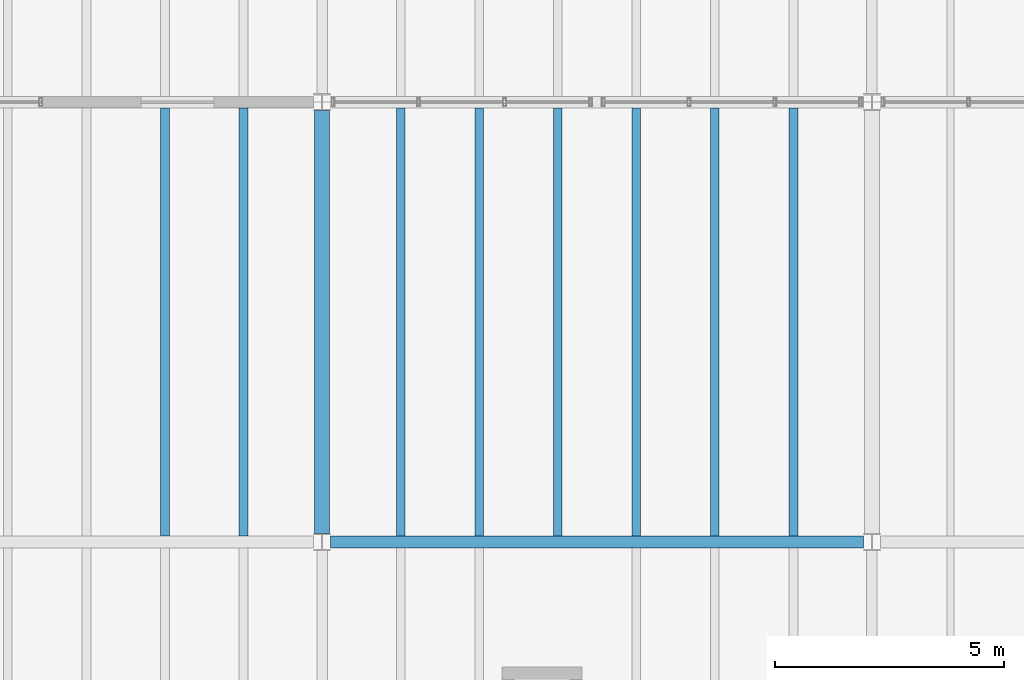
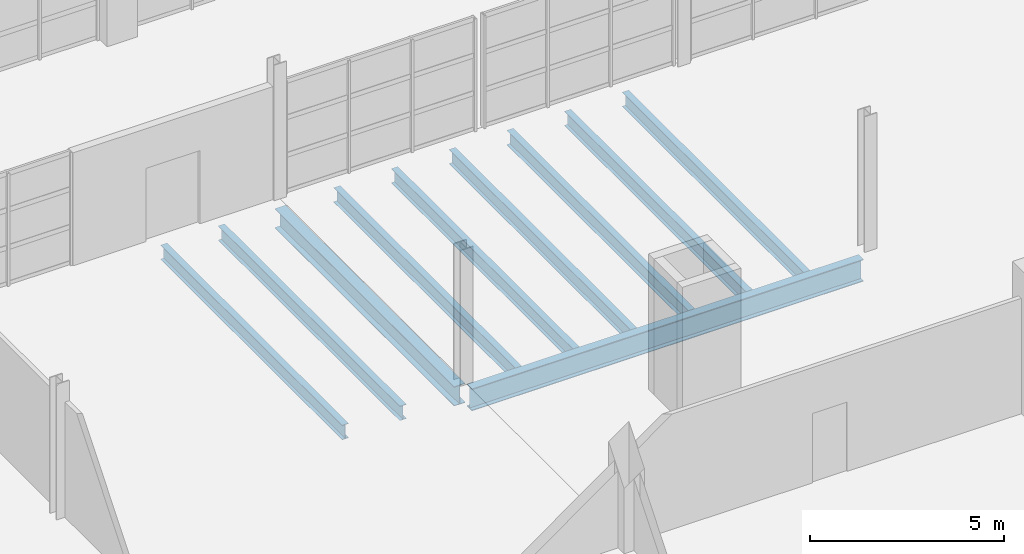
# One storey, part 25 of 114: 10 beams.
"""IFC4 building model written with IfcOpenShell, lengths in metres."""

import ifcopenshell
import ifcopenshell.guid

model = None  # the IFC model being written
_history = None  # IfcOwnerHistory: only IFC2X3 demands one
_inside = {}  # id of a spatial element -> (the spatial element, [elements in it])
_under = {}  # id of a project, library or spatial element -> (it, [spatial elements below it])
_declared = {}  # id of a project -> (the project, [libraries it declares])
_typed = {}  # id of a type object -> (the type object, [elements of that type])
_made_of = {}  # id of a material, layer set ... -> (it, [elements and type objects made of it])


def new_model(schema):
    """Start an empty IFC model of exactly this schema.

    Asked for "IFC4X3", IfcOpenShell would pick the latest addendum, in which some entities
    have other attributes; the version numbers below select the first issue.
    IFC2X3 requires an IfcOwnerHistory on every rooted entity: one is made here for all.
    """
    global model, _history
    if schema == "IFC4X3":
        model = ifcopenshell.file(schema_version=(4, 3, 0, 0))
    else:
        model = ifcopenshell.file(schema=schema)
    _inside.clear()
    _under.clear()
    _declared.clear()
    _typed.clear()
    _made_of.clear()
    _history = None
    if model.schema == "IFC2X3":
        org = make("IfcOrganization", Name="unknown")
        user = make(
            "IfcPersonAndOrganization",
            ThePerson=make("IfcPerson", FamilyName="unknown"),
            TheOrganization=org,
        )
        app = make(
            "IfcApplication",
            ApplicationDeveloper=org,
            Version="unknown",
            ApplicationFullName="unknown",
            ApplicationIdentifier="unknown",
        )
        _history = make(
            "IfcOwnerHistory",
            OwningUser=user,
            OwningApplication=app,
            ChangeAction="ADDED",
            CreationDate=0,
        )
    return model


def make(cls, **values):
    """One entity of the class cls with the attributes given. An attribute that is None is left unset."""
    return model.create_entity(
        cls, **{name: value for name, value in values.items() if value is not None}
    )


def rooted(cls, **values):
    """An entity with a GlobalId (a new one), such as an element, a storey or a relation."""
    return make(cls, GlobalId=ifcopenshell.guid.new(), OwnerHistory=_history, **values)


def si_unit(unit_type, name, prefix=None):
    """IfcSIUnit, for example si_unit("LENGTHUNIT", "METRE", prefix="MILLI")."""
    return make("IfcSIUnit", UnitType=unit_type, Prefix=prefix, Name=name)


def assignment(units):
    """IfcUnitAssignment: the units of a project."""
    return None if units is None else make("IfcUnitAssignment", Units=units)


def point(xyz):
    """IfcCartesianPoint."""
    return None if xyz is None else make("IfcCartesianPoint", Coordinates=xyz)


def direction(xyz):
    """IfcDirection."""
    return None if xyz is None else make("IfcDirection", DirectionRatios=xyz)


def frame(location, z_axis=None, x_axis=None):
    """IfcAxis2Placement3D, a coordinate frame: its origin and axes. An axis left out is left unset."""
    return make(
        "IfcAxis2Placement3D",
        Location=point(location),
        Axis=direction(z_axis),
        RefDirection=direction(x_axis),
    )


def frame_2d(location, x_axis=None):
    """IfcAxis2Placement2D, a coordinate frame in the plane: its origin and x axis."""
    return make(
        "IfcAxis2Placement2D", Location=point(location), RefDirection=direction(x_axis)
    )


def origin():
    """The frame at (0, 0, 0) with its axes left unset."""
    return frame((0.0, 0.0, 0.0))


def origin_2d():
    """The frame at (0, 0) in the plane with its x axis left unset."""
    return frame_2d((0.0, 0.0))


def place(relative_to, where):
    """IfcLocalPlacement: puts the frame where relative to a parent placement (None: the world)."""
    return make(
        "IfcLocalPlacement", PlacementRelTo=relative_to, RelativePlacement=where
    )


def context(
    kind, dimensions, precision=None, world=None, true_north=None, identifier=None
):
    """IfcGeometricRepresentationContext, for example the 3D "Model" context."""
    return make(
        "IfcGeometricRepresentationContext",
        ContextIdentifier=identifier,
        ContextType=kind,
        CoordinateSpaceDimension=dimensions,
        Precision=precision,
        WorldCoordinateSystem=world,
        TrueNorth=true_north,
    )


def subcontext(parent, identifier, kind, view, scale=None):
    """IfcGeometricRepresentationSubContext, for example "Body" below "Model"."""
    return make(
        "IfcGeometricRepresentationSubContext",
        ContextIdentifier=identifier,
        ContextType=kind,
        ParentContext=parent,
        TargetScale=scale,
        TargetView=view,
    )


def project(units=None, contexts=None):
    """IfcProject with its units and contexts."""
    return rooted(
        "IfcProject",
        Name="project",
        RepresentationContexts=contexts,
        UnitsInContext=assignment(units),
    )


def spatial(cls, under=None, at=None, **own):
    """A site, building, storey or space (cls), placed at a placement, below another one or the project."""
    s = rooted(cls, ObjectPlacement=at, **own)
    if under is not None:
        _under.setdefault(under.id(), (under, []))[1].append(s)
    return s


def profile(cls, at=None, kind="AREA", **sizes):
    """A parametric profile (cls). Its sizes go by their IFC names, for example OverallWidth=200.0."""
    return make(cls, ProfileType=kind, Position=at, **sizes)


def i_section(**sizes):
    """IfcIShapeProfileDef."""
    return profile("IfcIShapeProfileDef", **sizes)


def extrude(swept, where, along, depth):
    """IfcExtrudedAreaSolid: the profile swept, set in the frame where, extruded along a direction by depth."""
    return make(
        "IfcExtrudedAreaSolid",
        SweptArea=swept,
        Position=where,
        ExtrudedDirection=direction(along),
        Depth=depth,
    )


def shape(context_of_items, identifier, shape_type, items):
    """IfcShapeRepresentation: the items that make up one representation, for example the "Body"."""
    return make(
        "IfcShapeRepresentation",
        ContextOfItems=context_of_items,
        RepresentationIdentifier=identifier,
        RepresentationType=shape_type,
        Items=items,
    )


def material(Name=None, Category=None):
    """IfcMaterial."""
    return make("IfcMaterial", Name=Name, Category=Category)


def material_profile(
    of_material, cross_section, Name=None, Category=None, Priority=None
):
    """IfcMaterialProfile: a cross section and its material."""
    return make(
        "IfcMaterialProfile",
        Name=Name,
        Material=of_material,
        Profile=cross_section,
        Priority=Priority,
        Category=Category,
    )


def profile_set(profiles, Name=None, composite=None):
    """IfcMaterialProfileSet."""
    return make(
        "IfcMaterialProfileSet",
        Name=Name,
        MaterialProfiles=profiles,
        CompositeProfile=composite,
    )


def made_of(thing, what):
    """Note that an element or type object is made of a material, layer set ...; save() writes the relation."""
    if what is not None:
        _made_of.setdefault(what.id(), (what, []))[1].append(thing)
    return thing


def type_object(cls, material=None, **own):
    """A type object (cls), such as IfcWallType, which elements share."""
    return made_of(rooted(cls, **own), material)


def element(
    cls,
    number,
    at=None,
    inside=None,
    cuts=None,
    type_object=None,
    material=None,
    context=None,
    identifier="Body",
    shape_type=None,
    held_by="IfcProductDefinitionShape",
    body=None,
    shapes=None,
    **own,
):
    """One element of the class cls, such as IfcWall. Its Tag is "e" and its number.

    at: its placement. inside: the storey or other place that contains it. cuts: it is an
    opening in that element (IfcRelVoidsElement). A single representation is given by context,
    identifier, shape_type and body (its items); several are given by shapes. held_by: the class
    of the entity that holds the representations. save() writes the other relations.
    """
    e = rooted(cls, Tag="e%d" % number, ObjectPlacement=at, **own)
    if body is not None:
        shapes = [shape(context, identifier, shape_type, body)]
    if shapes is not None:
        e.Representation = make(held_by, Representations=shapes)
    if inside is not None:
        _inside.setdefault(inside.id(), (inside, []))[1].append(e)
    if cuts is not None:
        rooted(
            "IfcRelVoidsElement", RelatingBuildingElement=cuts, RelatedOpeningElement=e
        )
    if type_object is not None:
        _typed.setdefault(type_object.id(), (type_object, []))[1].append(e)
    return made_of(e, material)


def aggregate(whole, parts):
    """IfcRelAggregates: a whole, such as a stair, and the parts it consists of."""
    return rooted("IfcRelAggregates", RelatingObject=whole, RelatedObjects=parts)


def save(model, path):
    """Write the relations noted so far, then the file.

    IfcRelAggregates (storeys below a building ...), IfcRelContainedInSpatialStructure (elements
    in a storey), IfcRelDefinesByType, IfcRelAssociatesMaterial and IfcRelDeclares: one each for
    every whole, place, type object, material and project.
    """
    for whole, parts in _under.values():
        aggregate(whole, parts)
    for where, things in _inside.values():
        rooted(
            "IfcRelContainedInSpatialStructure",
            RelatedElements=things,
            RelatingStructure=where,
        )
    for kind, things in _typed.values():
        rooted("IfcRelDefinesByType", RelatedObjects=things, RelatingType=kind)
    for what, things in _made_of.values():
        rooted("IfcRelAssociatesMaterial", RelatedObjects=things, RelatingMaterial=what)
    for by, libraries in _declared.values():
        rooted("IfcRelDeclares", RelatingContext=by, RelatedDefinitions=libraries)
    model.write(path)


model = new_model("IFC4")

# Units and contexts
model_context = context("Model", 3, precision=1e-05, world=origin(), true_north=direction((0.0, 1.0)))
body_context = subcontext(model_context, "Body", "Model", "MODEL_VIEW")
ifc_project = project(units=[si_unit("LENGTHUNIT", "METRE"), si_unit("AREAUNIT", "SQUARE_METRE"), si_unit("VOLUMEUNIT", "CUBIC_METRE"), si_unit("PLANEANGLEUNIT", "RADIAN"), si_unit("MASSUNIT", "GRAM", prefix="KILO")], contexts=[model_context])

# Site, building, storey
site_placement = place(None, origin())
site = spatial("IfcSite", under=ifc_project, at=site_placement, CompositionType="ELEMENT")
building_placement = place(site_placement, origin())
building = spatial("IfcBuilding", under=site, at=building_placement, Name="Kelmvaro Bay Concert Hall", CompositionType="ELEMENT")
storey_placement = place(building_placement, frame((0.0, 0.0, 4.800048828125)))
storey = spatial("IfcBuildingStorey", under=building, at=storey_placement, Name="L01", CompositionType="ELEMENT", Elevation=4.800048828125)

# Beams
ifc_material_1 = material(Name="Steel ASTM A992 Grade 50", Category="steel")
ifc_material_profile_1 = material_profile(ifc_material_1, i_section(OverallWidth=0.323974609375, OverallDepth=0.611083984375, WebThickness=0.0126953125, FlangeThickness=0.01904296875, at=origin_2d()), Name="W24X104")
ifc_profile_set_1 = profile_set([ifc_material_profile_1], Name="Steel ASTM A992 Grade 50")
beam_type_1 = type_object("IfcBeamType", Name="Foyer Frame Girder W24x104", PredefinedType="BEAM", material=ifc_profile_set_1)
beam_1_placement = place(storey_placement, frame((36.0, 47.58642578125, -0.5556640625), z_axis=(0.0, 1.0, 0.0), x_axis=(-1.0, 0.0, 0.0)))
element("IfcBeam", 1, at=beam_1_placement, inside=storey, type_object=beam_type_1, Name="L01 Girder BM-L01-NS-0146", PredefinedType="BEAM", context=body_context, shape_type="SweptSolid", body=[
    extrude(i_section(OverallWidth=0.323974609375, OverallDepth=0.611083984375, WebThickness=0.0126953125, FlangeThickness=0.01904296875, at=origin_2d()), origin(), (0.0, 0.0, 1.0), 9.22705078125),
])
ifc_material_2 = material(Name="Steel ASTM A992 Grade 50", Category="steel")
ifc_material_profile_2 = material_profile(ifc_material_2, i_section(OverallWidth=0.256103515625, OverallDepth=0.693115234375, WebThickness=0.014404296875, FlangeThickness=0.023681640625, at=origin_2d()), Name="W27X114")
ifc_profile_set_2 = profile_set([ifc_material_profile_2], Name="Steel ASTM A992 Grade 50")
beam_type_2 = type_object("IfcBeamType", Name="Foyer Primary Girder W27x114", PredefinedType="BEAM", material=ifc_profile_set_2)
beam_2_placement = place(storey_placement, frame((36.1865234375, 47.39990234375, -0.596435546875), z_axis=(1.0, 0.0, 0.0), x_axis=(0.0, 1.0, 0.0)))
element("IfcBeam", 2, at=beam_2_placement, inside=storey, type_object=beam_type_2, Name="L01 Girder BM-L01-EW-0061", PredefinedType="BEAM", context=body_context, shape_type="SweptSolid", body=[
    extrude(i_section(OverallWidth=0.256103515625, OverallDepth=0.693115234375, WebThickness=0.014404296875, FlangeThickness=0.023681640625, at=origin_2d()), origin(), (0.0, 0.0, 1.0), 11.626953125),
])
ifc_material_3 = material(Name="Steel ASTM A992 Grade 50", Category="steel")
ifc_material_profile_3 = material_profile(ifc_material_3, i_section(OverallWidth=0.19091796875, OverallDepth=0.45703125, WebThickness=0.009033203125, FlangeThickness=0.014404296875, at=origin_2d()), Name="W18X50")
ifc_profile_set_3 = profile_set([ifc_material_profile_3], Name="Steel ASTM A992 Grade 50")
beam_type_3 = type_object("IfcBeamType", Name="Standard Composite Floor Joist W18x50", PredefinedType="JOIST", material=ifc_profile_set_3)
for number, where, z_axis, x_axis, name in (
    (3, (32.5712890625, 47.528076171875, -0.478515625), (0.0, 1.0, 0.0), (-1.0, 0.0, 0.0), "L01 Floor Joist JST-L01-0476"),
    (4, (34.28564453125, 47.528076171875, -0.478515625), (0.0, 1.0, 0.0), (-1.0, 0.0, 0.0), "L01 Floor Joist JST-L01-0477"),
    (5, (37.71435546875, 47.528076171875, -0.478515625), (0.0, 1.0, 0.0), (-1.0, 0.0, 0.0), "L01 Floor Joist JST-L01-0478"),
    (6, (39.4287109375, 47.528076171875, -0.478515625), (0.0, 1.0, 0.0), (-1.0, 0.0, 0.0), "L01 Floor Joist JST-L01-0479"),
    (7, (41.142822265625, 47.528076171875, -0.478515625), (0.0, 1.0, 0.0), (-1.0, 0.0, 0.0), "L01 Floor Joist JST-L01-0480"),
    (8, (42.857177734375, 47.528076171875, -0.478515625), (0.0, 1.0, 0.0), (-1.0, 0.0, 0.0), "L01 Floor Joist JST-L01-0481"),
    (9, (44.5712890625, 47.528076171875, -0.478515625), (0.0, 1.0, 0.0), (-1.0, 0.0, 0.0), "L01 Floor Joist JST-L01-0482"),
    (10, (46.28564453125, 47.528076171875, -0.478515625), (0.0, 1.0, 0.0), (-1.0, 0.0, 0.0), "L01 Floor Joist JST-L01-0483"),
):
    element("IfcBeam", number, at=place(storey_placement, frame(where, z_axis=z_axis, x_axis=x_axis)), inside=storey, type_object=beam_type_3, Name=name, PredefinedType="JOIST", context=body_context, shape_type="SweptSolid", body=[
        extrude(i_section(OverallWidth=0.19091796875, OverallDepth=0.45703125, WebThickness=0.009033203125, FlangeThickness=0.014404296875, at=origin_2d()), origin(), (0.0, 0.0, 1.0), 9.343994140625),
    ])

save(model, "model.ifc")
